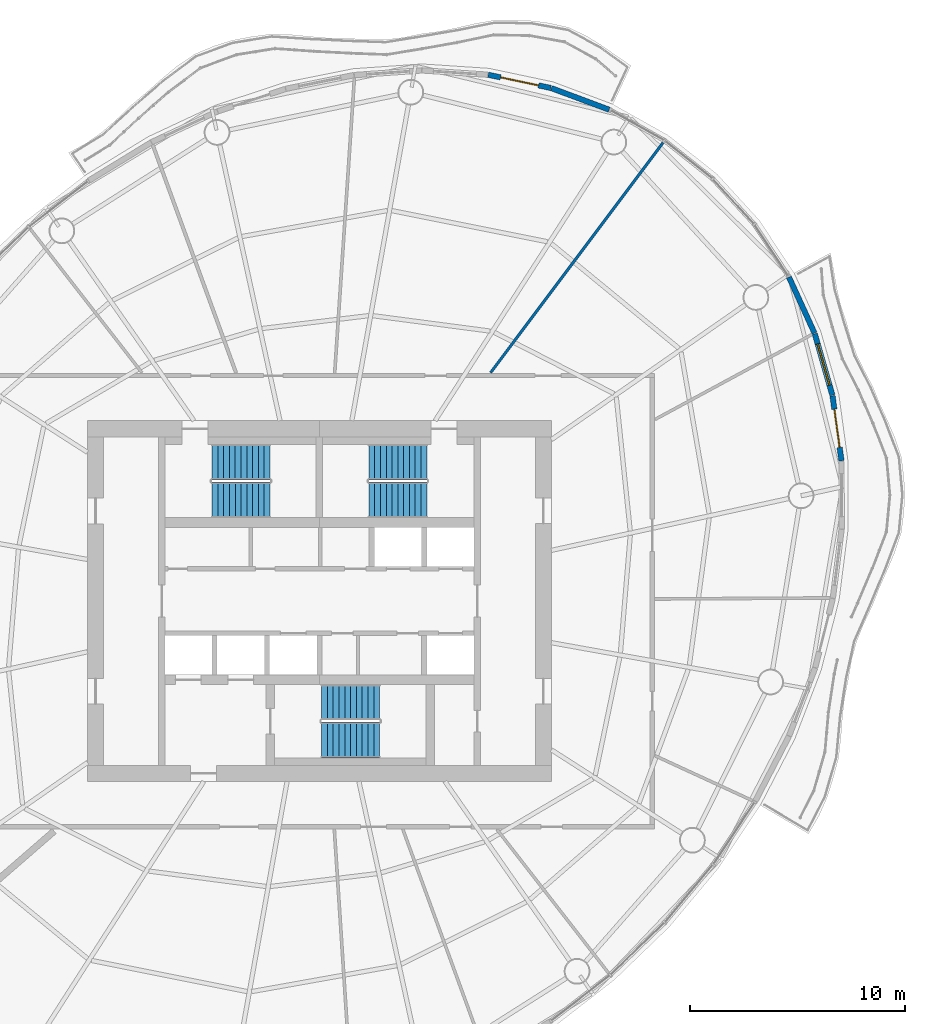
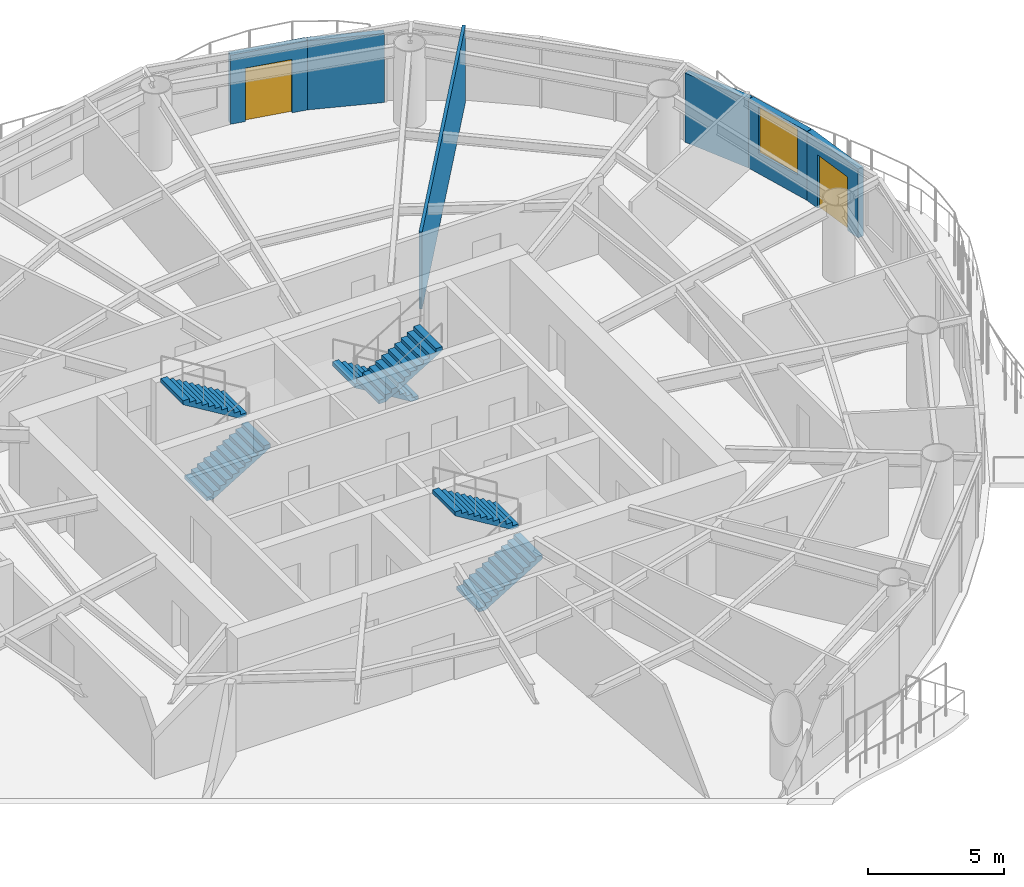
# One storey, part 11 of 15: 6 stair flights, 6 walls, 2 doors, 1 window, 3 openings, 3 elements without a shape of their own.
"""IFC4 building model written with IfcOpenShell, lengths in metres."""

from ifc_helpers import new_model, si_unit, direction, frame, frame_2d, origin, place, context, subcontext, project, spatial, polyline, rectangle, outline, extrude, material, layer, layer_set, type_object, element, fill, aggregate, save


model = new_model("IFC4")

# Units and contexts
model_context = context("Model", 3, precision=1e-05, world=origin(), true_north=direction((0.0, 1.0)))
body_context = subcontext(model_context, "Body", "Model", "MODEL_VIEW")
ifc_project = project(units=[si_unit("LENGTHUNIT", "METRE"), si_unit("AREAUNIT", "SQUARE_METRE"), si_unit("VOLUMEUNIT", "CUBIC_METRE"), si_unit("PLANEANGLEUNIT", "RADIAN"), si_unit("MASSUNIT", "GRAM", prefix="KILO")], contexts=[model_context])

# Site, building, storey
site_placement = place(None, origin())
site = spatial("IfcSite", under=ifc_project, at=site_placement, CompositionType="ELEMENT")
building_placement = place(site_placement, origin())
building = spatial("IfcBuilding", under=site, at=building_placement, Name="Vermilion Reach Broadcast Tower", CompositionType="ELEMENT")
storey_placement = place(building_placement, frame((0.0, 0.0, 220.89990234375)))
storey = spatial("IfcBuildingStorey", under=building, at=storey_placement, Name="L54", CompositionType="ELEMENT", Elevation=220.89990234375)

# Walls
ifc_material_1 = material(Name="Fire-rated plasterboard on steel stud", Category="steel")
ifc_layer_1 = layer(ifc_material_1, 0.125)
ifc_layer_set_1 = layer_set([ifc_layer_1], Name="Partition 125 fire-rated stud")
wall_type_1 = type_object("IfcWallType", Name="Partition 125 fire-rated stud", PredefinedType="PARTITIONING", material=ifc_layer_set_1)
wall_1_placement = place(storey_placement, frame((9.991455078125, 21.33740234375, 0.0), z_axis=(0.0, 0.0, 1.0), x_axis=(-0.599716591432, -0.800212478009, 0.0)))
element("IfcWall", 1, at=wall_1_placement, inside=storey, type_object=wall_type_1, Name="Partition 54.01", PredefinedType="PARTITIONING", context=body_context, shape_type="SweptSolid", body=[
    extrude(rectangle(XDim=13.371337890625, YDim=0.125, at=frame_2d((6.685546875, 0.0))), origin(), (0.0, 0.0, 1.0), 3.4501953125),
])
ifc_material_2 = material(Name="Terracotta rainscreen cladding", Category="masonry")
ifc_layer_2 = layer(ifc_material_2, 0.25)
ifc_layer_set_2 = layer_set([ifc_layer_2], Name="Terracotta rainscreen wall 250")
wall_type_2 = type_object("IfcWallType", Name="Terracotta rainscreen wall 250", PredefinedType="SOLIDWALL", material=ifc_layer_set_2)
wall_2_placement = place(storey_placement, frame((7.488037109375, 22.876220703125, 0.0), z_axis=(0.0, 0.0, 1.0), x_axis=(-0.936925456517, 0.34952923902, 0.0)))
element("IfcWall", 2, at=wall_2_placement, inside=storey, type_object=wall_type_2, Name="External wall L54 02", PredefinedType="SOLIDWALL", context=body_context, shape_type="SweptSolid", body=[
    extrude(rectangle(XDim=2.870849609375, YDim=0.25, at=frame_2d((1.435546875, 0.0))), origin(), (0.0, 0.0, 1.0), 3.10009765625),
])

# Wall, opening, door
wall_3_placement = place(storey_placement, frame((4.77294921875, 23.886962890625, 0.0), z_axis=(0.0, 0.0, 1.0), x_axis=(-0.978444408338, 0.206510386645, 0.0)))
wall_3 = element("IfcWall", 3, at=wall_3_placement, inside=storey, type_object=wall_type_2, Name="External wall L54 03", PredefinedType="SOLIDWALL", context=body_context, shape_type="SweptSolid", body=[
    extrude(rectangle(XDim=2.97802734375, YDim=0.25, at=frame_2d((1.489013671875, 0.0))), origin(), (0.0, 0.0, 1.0), 3.10009765625),
])
opening_1_placement = place(wall_3_placement, frame((0.589111328125, 0.0, 0.0)))
opening_1 = element("IfcOpeningElement", 4, at=opening_1_placement, cuts=wall_3, Name="Opening D70", PredefinedType="OPENING", context=body_context, shape_type="SweptSolid", body=[
    extrude(rectangle(XDim=1.800048828125, YDim=2.39990234375, at=frame_2d((0.89990234375, 1.199951171875))), frame((0.0, 0.135009765625, 0.0), z_axis=(0.0, -1.0, 0.0), x_axis=(1.0, 0.0, 0.0)), (0.0, 0.0, 1.0), 0.27001953125),
])
ifc_material_3 = material(Name="Low-e laminated clear glass in aluminium frame", Category="aluminium")
door_type = type_object("IfcDoorType", Name="Balcony sliding door 1800 x 2400", OperationType="DOUBLE_DOOR_SLIDING", PredefinedType="DOOR", material=ifc_material_3)
door_1_placement = place(opening_1_placement, origin())
door_1 = element("IfcDoor", 5, at=door_1_placement, inside=storey, type_object=door_type, Name="Balcony door L54 run 01", OperationType="DOUBLE_DOOR_SLIDING", OverallHeight=2.39990234375, OverallWidth=1.800048828125, PredefinedType="DOOR", context=body_context, shape_type="SweptSolid", body=[
    extrude(rectangle(XDim=1.800048828125, YDim=2.39990234375, at=frame_2d((0.89990234375, 1.199951171875))), frame((0.0, 0.02490234375, 0.0), z_axis=(0.0, -1.0, 0.0), x_axis=(1.0, 0.0, 0.0)), (0.0, 0.0, 1.0), 0.050048828125),
])
fill(opening_1, door_1)

wall_4_placement = place(storey_placement, frame((18.303466796875, 6.52880859375, 0.0), z_axis=(0.0, 0.0, 1.0), x_axis=(-0.136556327804, 0.99063230784, 0.0)))
wall_4 = element("IfcWall", 6, at=wall_4_placement, inside=storey, type_object=wall_type_2, Name="External wall L54 43", PredefinedType="SOLIDWALL", context=body_context, shape_type="SweptSolid", body=[
    extrude(rectangle(XDim=3.05712890625, YDim=0.25, at=frame_2d((1.528564453125, 0.0))), origin(), (0.0, 0.0, 1.0), 3.10009765625),
])
opening_2_placement = place(wall_4_placement, frame((0.6279296875, 0.0, 0.0)))
opening_2 = element("IfcOpeningElement", 7, at=opening_2_placement, cuts=wall_4, Name="Opening D70", PredefinedType="OPENING", context=body_context, shape_type="SweptSolid", body=[
    extrude(rectangle(XDim=1.800048828125, YDim=2.39990234375, at=frame_2d((0.89990234375, 1.199951171875))), frame((0.0, 0.135009765625, 0.0), z_axis=(0.0, -1.0, 0.0), x_axis=(1.0, 0.0, 0.0)), (0.0, 0.0, 1.0), 0.27001953125),
])
door_2_placement = place(opening_2_placement, origin())
door_2 = element("IfcDoor", 8, at=door_2_placement, inside=storey, type_object=door_type, Name="Balcony door L54 run 11", OperationType="DOUBLE_DOOR_SLIDING", OverallHeight=2.39990234375, OverallWidth=1.800048828125, PredefinedType="DOOR", context=body_context, shape_type="SweptSolid", body=[
    extrude(rectangle(XDim=1.800048828125, YDim=2.39990234375, at=frame_2d((0.89990234375, 1.199951171875))), frame((0.0, 0.02490234375, 0.0), z_axis=(0.0, -1.0, 0.0), x_axis=(1.0, 0.0, 0.0)), (0.0, 0.0, 1.0), 0.050048828125),
])
fill(opening_2, door_2)

# Wall, opening, window
wall_5_placement = place(storey_placement, frame((17.880859375, 9.58251953125, 0.0), z_axis=(0.0, 0.0, 1.0), x_axis=(-0.275630564499, 0.961263643292, 0.0)))
wall_5 = element("IfcWall", 9, at=wall_5_placement, inside=storey, type_object=wall_type_2, Name="External wall L54 44", PredefinedType="SOLIDWALL", context=body_context, shape_type="SweptSolid", body=[
    extrude(rectangle(XDim=2.977783203125, YDim=0.25, at=frame_2d((1.48876953125, 0.0))), origin(), (0.0, 0.0, 1.0), 3.10009765625),
])
opening_3_placement = place(wall_5_placement, frame((0.489013671875, 0.0, 0.89990234375)))
opening_3 = element("IfcOpeningElement", 10, at=opening_3_placement, cuts=wall_5, Name="Opening W03", PredefinedType="OPENING", context=body_context, shape_type="SweptSolid", body=[
    extrude(rectangle(XDim=2.0, YDim=2.10009765625, at=frame_2d((1.0, 1.050048828125))), frame((0.0, 0.135009765625, 0.0), z_axis=(0.0, -1.0, 0.0), x_axis=(1.0, 0.0, 0.0)), (0.0, 0.0, 1.0), 0.27001953125),
])
ifc_material_4 = material(Name="Low-e laminated clear glass in aluminium frame", Category="aluminium")
window_type = type_object("IfcWindowType", Name="Punched window 2000 x 2100 sill 900", PartitioningType="SINGLE_PANEL", PredefinedType="WINDOW", material=ifc_material_4)
window_placement = place(opening_3_placement, origin())
window = element("IfcWindow", 11, at=window_placement, inside=storey, type_object=window_type, Name="Window L54 44", OverallHeight=2.10009765625, OverallWidth=2.0, PartitioningType="SINGLE_PANEL", PredefinedType="WINDOW", context=body_context, shape_type="SweptSolid", body=[
    extrude(rectangle(XDim=2.0, YDim=2.10009765625, at=frame_2d((1.0, 1.050048828125))), frame((0.0, 0.030029296875, 0.0), z_axis=(0.0, -1.0, 0.0), x_axis=(1.0, 0.0, 0.0)), (0.0, 0.0, 1.0), 0.06005859375),
])
fill(opening_3, window)

# Wall
wall_6_placement = place(storey_placement, frame((17.05078125, 12.469970703125, 0.0), z_axis=(0.0, 0.0, 1.0), x_axis=(-0.41529540963, 0.909686606882, 0.0)))
element("IfcWall", 12, at=wall_6_placement, inside=storey, type_object=wall_type_2, Name="External wall L54 45", PredefinedType="SOLIDWALL", context=body_context, shape_type="SweptSolid", body=[
    extrude(rectangle(XDim=2.87060546875, YDim=0.25, at=frame_2d((1.435302734375, 0.0))), origin(), (0.0, 0.0, 1.0), 3.10009765625),
])

# Stair, stair flights
ifc_material_5 = material(Name="Concrete C40", Category="concrete")
stair_type = type_object("IfcStairType", Name="Exit stair RC 22 risers 164 mm", PredefinedType="HALF_TURN_STAIR", material=ifc_material_5)
placement = place(storey_placement, origin())
stair_1 = element("IfcStair", 13, at=placement, inside=storey, type_object=stair_type, Name="L54 Exit stair ST1", PredefinedType="HALF_TURN_STAIR")
ifc_material_6 = material(Name="Concrete C40", Category="concrete")
stair_flight_type = type_object("IfcStairFlightType", Name="Exit stair flight RC 11 risers", PredefinedType="STRAIGHT", material=ifc_material_6)
stair_flight_1_placement = place(storey_placement, frame((-11.0, 4.7099609375, 0.0), z_axis=(0.0, 0.0, 1.0), x_axis=(1.0, 0.0, 0.0)))
stair_flight_1 = element("IfcStairFlight", 14, at=stair_flight_1_placement, type_object=stair_flight_type, Name="ST1 flight 1", NumberOfRisers=11, NumberOfTreads=10, PredefinedType="STRAIGHT", RiserHeight=0.163636364, TreadLength=0.27, context=body_context, shape_type="SweptSolid", body=[
    extrude(outline(polyline([(0.0, 0.0), (0.0, 0.16357421875), (0.27001953125, 0.16357421875), (0.27001953125, 0.327392578125), (0.5400390625, 0.327392578125), (0.5400390625, 0.490966796875), (0.81005859375, 0.490966796875), (0.81005859375, 0.654541015625), (1.080078125, 0.654541015625), (1.080078125, 0.818115234375), (1.35009765625, 0.818115234375), (1.35009765625, 0.98193359375), (1.6201171875, 0.98193359375), (1.6201171875, 1.1455078125), (1.889892578125, 1.1455078125), (1.889892578125, 1.30908203125), (2.159912109375, 1.30908203125), (2.159912109375, 1.47265625), (2.429931640625, 1.47265625), (2.429931640625, 1.636474609375), (2.699951171875, 1.636474609375), (2.699951171875, 1.800048828125), (2.699951171875, 1.461181640625), (0.289306640625, 0.0), (0.0, 0.0)])), frame((0.0, 0.830078125, 0.0), z_axis=(0.0, -1.0, 0.0), x_axis=(1.0, 0.0, 0.0)), (0.0, 0.0, 1.0), 1.659912109375),
])
stair_flight_2_placement = place(storey_placement, frame((-8.300048828125, 6.469970703125, 1.800048828125), z_axis=(0.0, 0.0, 1.0), x_axis=(-1.0, 0.0, 0.0)))
stair_flight_2 = element("IfcStairFlight", 15, at=stair_flight_2_placement, type_object=stair_flight_type, Name="ST1 flight 2", NumberOfRisers=11, NumberOfTreads=10, PredefinedType="STRAIGHT", RiserHeight=0.163636364, TreadLength=0.27, context=body_context, shape_type="SweptSolid", body=[
    extrude(outline(polyline([(0.0, 0.0), (0.0, 0.16357421875), (0.27001953125, 0.16357421875), (0.27001953125, 0.327392578125), (0.5400390625, 0.327392578125), (0.5400390625, 0.490966796875), (0.81005859375, 0.490966796875), (0.81005859375, 0.654541015625), (1.080078125, 0.654541015625), (1.080078125, 0.818115234375), (1.35009765625, 0.818115234375), (1.35009765625, 0.98193359375), (1.6201171875, 0.98193359375), (1.6201171875, 1.1455078125), (1.889892578125, 1.1455078125), (1.889892578125, 1.30908203125), (2.159912109375, 1.30908203125), (2.159912109375, 1.47265625), (2.429931640625, 1.47265625), (2.429931640625, 1.636474609375), (2.699951171875, 1.636474609375), (2.699951171875, 1.800048828125), (2.699951171875, 1.461181640625), (0.289306640625, 0.0), (0.0, 0.0)])), frame((0.0, 0.830078125, 0.0), z_axis=(0.0, -1.0, 0.0), x_axis=(1.0, 0.0, 0.0)), (0.0, 0.0, 1.0), 1.659912109375),
])
aggregate(stair_1, [stair_flight_1, stair_flight_2])

stair_2 = element("IfcStair", 16, at=placement, inside=storey, type_object=stair_type, Name="L54 Exit stair ST2", PredefinedType="HALF_TURN_STAIR")
stair_flight_3_placement = place(storey_placement, frame((-1.0, 6.469970703125, 0.0), z_axis=(0.0, 0.0, 1.0), x_axis=(-1.0, 0.0, 0.0)))
stair_flight_3 = element("IfcStairFlight", 17, at=stair_flight_3_placement, type_object=stair_flight_type, Name="ST2 flight 1", NumberOfRisers=11, NumberOfTreads=10, PredefinedType="STRAIGHT", RiserHeight=0.163636364, TreadLength=0.27, context=body_context, shape_type="SweptSolid", body=[
    extrude(outline(polyline([(0.0, 0.0), (0.0, 0.16357421875), (0.27001953125, 0.16357421875), (0.27001953125, 0.327392578125), (0.5400390625, 0.327392578125), (0.5400390625, 0.490966796875), (0.81005859375, 0.490966796875), (0.81005859375, 0.654541015625), (1.080078125, 0.654541015625), (1.080078125, 0.818115234375), (1.35009765625, 0.818115234375), (1.35009765625, 0.98193359375), (1.6201171875, 0.98193359375), (1.6201171875, 1.1455078125), (1.889892578125, 1.1455078125), (1.889892578125, 1.30908203125), (2.159912109375, 1.30908203125), (2.159912109375, 1.47265625), (2.429931640625, 1.47265625), (2.429931640625, 1.636474609375), (2.699951171875, 1.636474609375), (2.699951171875, 1.800048828125), (2.699951171875, 1.461181640625), (0.289306640625, 0.0), (0.0, 0.0)])), frame((0.0, 0.830078125, 0.0), z_axis=(0.0, -1.0, 0.0), x_axis=(1.0, 0.0, 0.0)), (0.0, 0.0, 1.0), 1.659912109375),
])
stair_flight_4_placement = place(storey_placement, frame((-3.699951171875, 4.7099609375, 1.800048828125), z_axis=(0.0, 0.0, 1.0), x_axis=(1.0, 0.0, 0.0)))
stair_flight_4 = element("IfcStairFlight", 18, at=stair_flight_4_placement, type_object=stair_flight_type, Name="ST2 flight 2", NumberOfRisers=11, NumberOfTreads=10, PredefinedType="STRAIGHT", RiserHeight=0.163636364, TreadLength=0.27, context=body_context, shape_type="SweptSolid", body=[
    extrude(outline(polyline([(0.0, 0.0), (0.0, 0.16357421875), (0.27001953125, 0.16357421875), (0.27001953125, 0.327392578125), (0.5400390625, 0.327392578125), (0.5400390625, 0.490966796875), (0.81005859375, 0.490966796875), (0.81005859375, 0.654541015625), (1.080078125, 0.654541015625), (1.080078125, 0.818115234375), (1.35009765625, 0.818115234375), (1.35009765625, 0.98193359375), (1.6201171875, 0.98193359375), (1.6201171875, 1.1455078125), (1.889892578125, 1.1455078125), (1.889892578125, 1.30908203125), (2.159912109375, 1.30908203125), (2.159912109375, 1.47265625), (2.429931640625, 1.47265625), (2.429931640625, 1.636474609375), (2.699951171875, 1.636474609375), (2.699951171875, 1.800048828125), (2.699951171875, 1.461181640625), (0.289306640625, 0.0), (0.0, 0.0)])), frame((0.0, 0.830078125, 0.0), z_axis=(0.0, -1.0, 0.0), x_axis=(1.0, 0.0, 0.0)), (0.0, 0.0, 1.0), 1.659912109375),
])
aggregate(stair_2, [stair_flight_3, stair_flight_4])

stair_3 = element("IfcStair", 19, at=placement, inside=storey, type_object=stair_type, Name="L54 Exit stair ST3", PredefinedType="HALF_TURN_STAIR")
stair_flight_5_placement = place(storey_placement, frame((-5.89990234375, -6.469970703125, 0.0), z_axis=(0.0, 0.0, 1.0), x_axis=(1.0, 0.0, 0.0)))
stair_flight_5 = element("IfcStairFlight", 20, at=stair_flight_5_placement, type_object=stair_flight_type, Name="ST3 flight 1", NumberOfRisers=11, NumberOfTreads=10, PredefinedType="STRAIGHT", RiserHeight=0.163636364, TreadLength=0.27, context=body_context, shape_type="SweptSolid", body=[
    extrude(outline(polyline([(0.0, 0.0), (0.0, 0.16357421875), (0.27001953125, 0.16357421875), (0.27001953125, 0.327392578125), (0.5400390625, 0.327392578125), (0.5400390625, 0.490966796875), (0.81005859375, 0.490966796875), (0.81005859375, 0.654541015625), (1.080078125, 0.654541015625), (1.080078125, 0.818115234375), (1.35009765625, 0.818115234375), (1.35009765625, 0.98193359375), (1.6201171875, 0.98193359375), (1.6201171875, 1.1455078125), (1.889892578125, 1.1455078125), (1.889892578125, 1.30908203125), (2.159912109375, 1.30908203125), (2.159912109375, 1.47265625), (2.429931640625, 1.47265625), (2.429931640625, 1.636474609375), (2.699951171875, 1.636474609375), (2.699951171875, 1.800048828125), (2.699951171875, 1.461181640625), (0.289306640625, 0.0), (0.0, 0.0)])), frame((0.0, 0.830078125, 0.0), z_axis=(0.0, -1.0, 0.0), x_axis=(1.0, 0.0, 0.0)), (0.0, 0.0, 1.0), 1.659912109375),
])
stair_flight_6_placement = place(storey_placement, frame((-3.199951171875, -4.7099609375, 1.800048828125), z_axis=(0.0, 0.0, 1.0), x_axis=(-1.0, 0.0, 0.0)))
stair_flight_6 = element("IfcStairFlight", 21, at=stair_flight_6_placement, type_object=stair_flight_type, Name="ST3 flight 2", NumberOfRisers=11, NumberOfTreads=10, PredefinedType="STRAIGHT", RiserHeight=0.163636364, TreadLength=0.27, context=body_context, shape_type="SweptSolid", body=[
    extrude(outline(polyline([(0.0, 0.0), (0.0, 0.16357421875), (0.27001953125, 0.16357421875), (0.27001953125, 0.327392578125), (0.5400390625, 0.327392578125), (0.5400390625, 0.490966796875), (0.81005859375, 0.490966796875), (0.81005859375, 0.654541015625), (1.080078125, 0.654541015625), (1.080078125, 0.818115234375), (1.35009765625, 0.818115234375), (1.35009765625, 0.98193359375), (1.6201171875, 0.98193359375), (1.6201171875, 1.1455078125), (1.889892578125, 1.1455078125), (1.889892578125, 1.30908203125), (2.159912109375, 1.30908203125), (2.159912109375, 1.47265625), (2.429931640625, 1.47265625), (2.429931640625, 1.636474609375), (2.699951171875, 1.636474609375), (2.699951171875, 1.800048828125), (2.699951171875, 1.461181640625), (0.289306640625, 0.0), (0.0, 0.0)])), frame((0.0, 0.830078125, 0.0), z_axis=(0.0, -1.0, 0.0), x_axis=(1.0, 0.0, 0.0)), (0.0, 0.0, 1.0), 1.659912109375),
])
aggregate(stair_3, [stair_flight_5, stair_flight_6])

save(model, "model.ifc")
